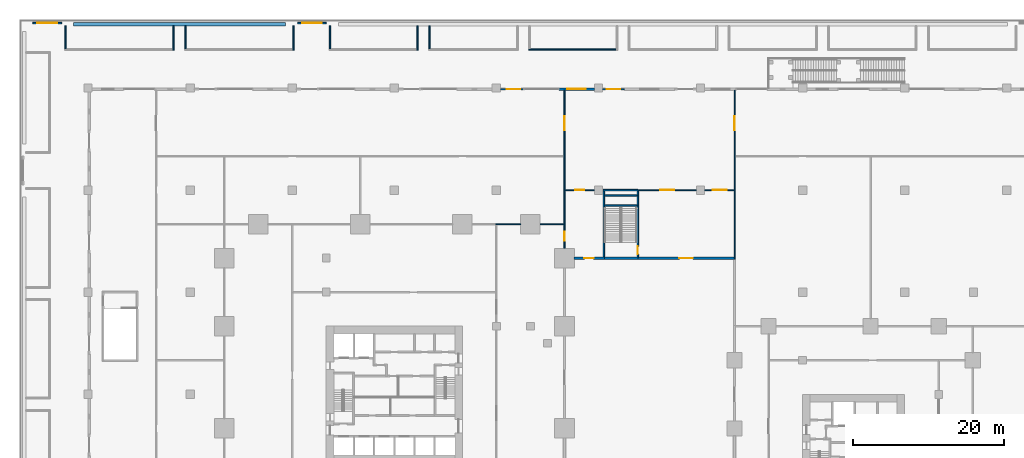
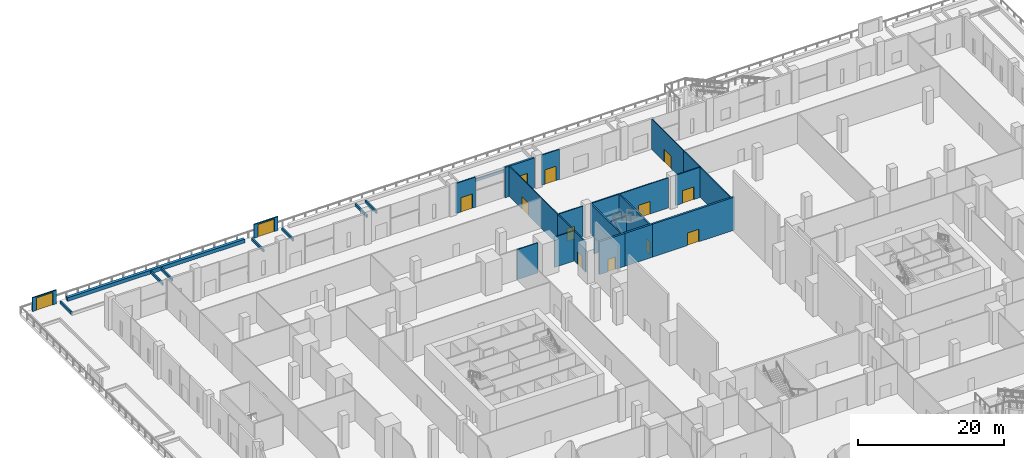
# One storey, part 34 of 47: 34 walls, 13 doors, 1 window, 14 openings.
"""IFC4 building model written with IfcOpenShell, lengths in metres."""

from ifc_helpers import new_model, si_unit, direction, frame, frame_2d, origin, place, context, subcontext, project, spatial, rectangle, extrude, material, layer, layer_set, type_object, element, fill, save


model = new_model("IFC4")

# Units and contexts
model_context = context("Model", 3, precision=1e-05, world=origin(), true_north=direction((0.0, 1.0)))
body_context = subcontext(model_context, "Body", "Model", "MODEL_VIEW")
ifc_project = project(units=[si_unit("LENGTHUNIT", "METRE"), si_unit("AREAUNIT", "SQUARE_METRE"), si_unit("VOLUMEUNIT", "CUBIC_METRE"), si_unit("PLANEANGLEUNIT", "RADIAN"), si_unit("MASSUNIT", "GRAM", prefix="KILO")], contexts=[model_context])

# Site, building, storey
site_placement = place(None, origin())
site = spatial("IfcSite", under=ifc_project, at=site_placement, CompositionType="ELEMENT")
building_placement = place(site_placement, origin())
building = spatial("IfcBuilding", under=site, at=building_placement, Name="Altepetl Exchange Towers", CompositionType="ELEMENT")
storey_placement = place(building_placement, frame((0.0, 0.0, 6.0)))
storey = spatial("IfcBuildingStorey", under=building, at=storey_placement, Name="L01 Retail podium", CompositionType="ELEMENT", Elevation=6.0)

# Wall, opening, door
ifc_material_1 = material(Name="Reinforced concrete C35/45", Category="concrete")
ifc_layer_1 = layer(ifc_material_1, 0.300048828125)
ifc_layer_set_1 = layer_set([ifc_layer_1], Name="Reinforced concrete C35/45")
wall_type_1 = type_object("IfcWallType", Name="Exchange hall wall 300", PredefinedType="SOLIDWALL", material=ifc_layer_set_1)
wall_1_placement = place(storey_placement, frame((81.60009765625, 67.5, 0.0)))
wall_1 = element("IfcWall", 1, at=wall_1_placement, inside=storey, type_object=wall_type_1, Name="wall:P:L01:P013", PredefinedType="SOLIDWALL", context=body_context, shape_type="SweptSolid", body=[
    extrude(rectangle(XDim=13.0498046875, YDim=0.300048828125, at=frame_2d((6.52490234375, 0.0))), origin(), (0.0, 0.0, 1.0), 5.5),
])
opening_1_placement = place(wall_1_placement, frame((5.60009765625, 0.0, 0.0)))
opening_1 = element("IfcOpeningElement", 2, at=opening_1_placement, cuts=wall_1, Name="Opening L01.P034", PredefinedType="OPENING", context=body_context, shape_type="SweptSolid", body=[
    extrude(rectangle(XDim=1.800048828125, YDim=2.10009765625, at=frame_2d((0.89990234375, 1.050048828125))), frame((0.0, 0.16015625, 0.0), z_axis=(0.0, -1.0, 0.0), x_axis=(1.0, 0.0, 0.0)), (0.0, 0.0, 1.0), 0.320068359375),
])
ifc_material_2 = material(Name="Glazed aluminium and steel", Category="steel")
door_type_1 = type_object("IfcDoorType", Name="Podium fire door 1800 x 2100 double leaf", OperationType="DOUBLE_DOOR_SINGLE_SWING", PredefinedType="DOOR", material=ifc_material_2)
door_1_placement = place(opening_1_placement, origin())
door_1 = element("IfcDoor", 3, at=door_1_placement, inside=storey, type_object=door_type_1, Name="door:P:L01:034", OperationType="DOUBLE_DOOR_SINGLE_SWING", OverallHeight=2.10009765625, OverallWidth=1.800048828125, PredefinedType="DOOR", context=body_context, shape_type="SweptSolid", body=[
    extrude(rectangle(XDim=1.800048828125, YDim=2.10009765625, at=frame_2d((0.89990234375, 1.050048828125))), frame((0.0, 0.02490234375, 0.0), z_axis=(0.0, -1.0, 0.0), x_axis=(1.0, 0.0, 0.0)), (0.0, 0.0, 1.0), 0.050048828125),
])
fill(opening_1, door_1)

wall_2_placement = place(storey_placement, frame((73.294921875, 67.5, 0.0)))
wall_2 = element("IfcWall", 4, at=wall_2_placement, inside=storey, type_object=wall_type_1, Name="wall:P:L01:P023", PredefinedType="SOLIDWALL", context=body_context, shape_type="SweptSolid", body=[
    extrude(rectangle(XDim=4.005126953125, YDim=0.300048828125, at=frame_2d((2.00244140625, 0.0))), origin(), (0.0, 0.0, 1.0), 5.5),
])
opening_2_placement = place(wall_2_placement, frame((1.35009765625, 0.0, 0.0)))
opening_2 = element("IfcOpeningElement", 5, at=opening_2_placement, cuts=wall_2, Name="Opening L01.P040", PredefinedType="OPENING", context=body_context, shape_type="SweptSolid", body=[
    extrude(rectangle(XDim=1.199951171875, YDim=2.10009765625, at=frame_2d((0.60009765625, 1.050048828125))), frame((0.0, 0.16015625, 0.0), z_axis=(0.0, -1.0, 0.0), x_axis=(1.0, 0.0, 0.0)), (0.0, 0.0, 1.0), 0.320068359375),
])
ifc_material_3 = material(Name="Steel fire door", Category="steel")
door_type_2 = type_object("IfcDoorType", Name="Podium fire door 1200 x 2100 double leaf", OperationType="DOUBLE_DOOR_SINGLE_SWING", PredefinedType="DOOR", material=ifc_material_3)
door_2_placement = place(opening_2_placement, origin())
door_2 = element("IfcDoor", 6, at=door_2_placement, inside=storey, type_object=door_type_2, Name="door:P:L01:040", OperationType="DOUBLE_DOOR_SINGLE_SWING", OverallHeight=2.10009765625, OverallWidth=1.199951171875, PredefinedType="DOOR", context=body_context, shape_type="SweptSolid", body=[
    extrude(rectangle(XDim=1.199951171875, YDim=2.10009765625, at=frame_2d((0.60009765625, 1.050048828125))), frame((0.0, 0.02490234375, 0.0), z_axis=(0.0, -1.0, 0.0), x_axis=(1.0, 0.0, 0.0)), (0.0, 0.0, 1.0), 0.050048828125),
])
fill(opening_2, door_2)

# Wall
wall_3_placement = place(storey_placement, frame((77.199951171875, 67.5, 0.0)))
element("IfcWall", 7, at=wall_3_placement, inside=storey, type_object=wall_type_1, Name="wall:P:L01:P024", PredefinedType="SOLIDWALL", context=body_context, shape_type="SweptSolid", body=[
    extrude(rectangle(XDim=4.5, YDim=0.300048828125, at=frame_2d((2.25, 0.0))), origin(), (0.0, 0.0, 1.0), 5.5),
])

# Wall, opening, door
ifc_layer_2 = layer(ifc_material_1, 0.199951171875)
ifc_layer_set_2 = layer_set([ifc_layer_2], Name="Reinforced concrete C35/45")
wall_type_2 = type_object("IfcWallType", Name="Garden gate screen wall 200", PredefinedType="SOLIDWALL", material=ifc_layer_set_2)
wall_4_placement = place(storey_placement, frame((1.699951171875, 98.60009765625, 0.0)))
wall_4 = element("IfcWall", 8, at=wall_4_placement, inside=storey, type_object=wall_type_2, Name="wall:P:L01:gateG3", PredefinedType="SOLIDWALL", context=body_context, shape_type="SweptSolid", body=[
    extrude(rectangle(XDim=3.800048828125, YDim=0.199951171875, at=frame_2d((1.89990234375, 0.0))), origin(), (0.0, 0.0, 1.0), 2.300048828125),
])
opening_3_placement = place(wall_4_placement, frame((0.60009765625, 0.0, 0.0)))
opening_3 = element("IfcOpeningElement", 9, at=opening_3_placement, cuts=wall_4, Name="Opening L01.P058", PredefinedType="OPENING", context=body_context, shape_type="SweptSolid", body=[
    extrude(rectangle(XDim=2.60009765625, YDim=2.10009765625, at=frame_2d((1.300048828125, 1.050048828125))), frame((0.0, 0.10986328125, 0.0), z_axis=(0.0, -1.0, 0.0), x_axis=(1.0, 0.0, 0.0)), (0.0, 0.0, 1.0), 0.219970703125),
])
ifc_material_4 = material(Name="Painted steel bars and timber", Category="steel")
door_type_3 = type_object("IfcDoorType", Name="Garden gate 2600 x 2100 double leaf", OperationType="DOUBLE_DOOR_SINGLE_SWING", PredefinedType="GATE", material=ifc_material_4)
door_3_placement = place(opening_3_placement, origin())
door_3 = element("IfcDoor", 10, at=door_3_placement, inside=storey, type_object=door_type_3, Name="door:P:L01:058", OperationType="DOUBLE_DOOR_SINGLE_SWING", OverallHeight=2.10009765625, OverallWidth=2.60009765625, PredefinedType="GATE", context=body_context, shape_type="SweptSolid", body=[
    extrude(rectangle(XDim=2.60009765625, YDim=2.10009765625, at=frame_2d((1.300048828125, 1.050048828125))), frame((0.0, 0.02490234375, 0.0), z_axis=(0.0, -1.0, 0.0), x_axis=(1.0, 0.0, 0.0)), (0.0, 0.0, 1.0), 0.050048828125),
])
fill(opening_3, door_3)

wall_5_placement = place(storey_placement, frame((36.699951171875, 98.60009765625, 0.0)))
wall_5 = element("IfcWall", 11, at=wall_5_placement, inside=storey, type_object=wall_type_2, Name="wall:P:L01:gateG4", PredefinedType="SOLIDWALL", context=body_context, shape_type="SweptSolid", body=[
    extrude(rectangle(XDim=3.800048828125, YDim=0.199951171875, at=frame_2d((1.89990234375, 0.0))), origin(), (0.0, 0.0, 1.0), 2.300048828125),
])
opening_4_placement = place(wall_5_placement, frame((0.60009765625, 0.0, 0.0)))
opening_4 = element("IfcOpeningElement", 12, at=opening_4_placement, cuts=wall_5, Name="Opening L01.P059", PredefinedType="OPENING", context=body_context, shape_type="SweptSolid", body=[
    extrude(rectangle(XDim=2.60009765625, YDim=2.10009765625, at=frame_2d((1.300048828125, 1.050048828125))), frame((0.0, 0.10986328125, 0.0), z_axis=(0.0, -1.0, 0.0), x_axis=(1.0, 0.0, 0.0)), (0.0, 0.0, 1.0), 0.219970703125),
])
door_4_placement = place(opening_4_placement, origin())
door_4 = element("IfcDoor", 13, at=door_4_placement, inside=storey, type_object=door_type_3, Name="door:P:L01:059", OperationType="DOUBLE_DOOR_SINGLE_SWING", OverallHeight=2.10009765625, OverallWidth=2.60009765625, PredefinedType="GATE", context=body_context, shape_type="SweptSolid", body=[
    extrude(rectangle(XDim=2.60009765625, YDim=2.10009765625, at=frame_2d((1.300048828125, 1.050048828125))), frame((0.0, 0.02490234375, 0.0), z_axis=(0.0, -1.0, 0.0), x_axis=(1.0, 0.0, 0.0)), (0.0, 0.0, 1.0), 0.050048828125),
])
fill(opening_4, door_4)

ifc_material_5 = material(Name="Aluminium composite cladding", Category="aluminium")
ifc_layer_3 = layer(ifc_material_5, 0.14990234375)
ifc_layer_set_3 = layer_set([ifc_layer_3], Name="Aluminium composite cladding")
wall_type_3 = type_object("IfcWallType", Name="Infill wall 150 aluminium panel", PredefinedType="SOLIDWALL", material=ifc_layer_set_3)
wall_6_placement = place(storey_placement, frame((79.89990234375, 89.85009765625, 0.0), z_axis=(0.0, 0.0, 1.0), x_axis=(-1.0, 0.0, 0.0)))
wall_6 = element("IfcWall", 14, at=wall_6_placement, inside=storey, type_object=wall_type_3, Name="Door bay wall", PredefinedType="SOLIDWALL", context=body_context, shape_type="SweptSolid", body=[
    extrude(rectangle(XDim=2.849853515625, YDim=0.14990234375, at=frame_2d((1.4248046875, 0.0))), origin(), (0.0, 0.0, 1.0), 5.050048828125),
])
opening_5_placement = place(wall_6_placement, frame((0.5, 0.0, 0.0)))
opening_5 = element("IfcOpeningElement", 15, at=opening_5_placement, cuts=wall_6, Name="Opening L01.E03", PredefinedType="OPENING", context=body_context, shape_type="SweptSolid", body=[
    extrude(rectangle(XDim=1.800048828125, YDim=2.39990234375, at=frame_2d((0.89990234375, 1.199951171875))), frame((0.0, 0.0849609375, 0.0), z_axis=(0.0, -1.0, 0.0), x_axis=(1.0, 0.0, 0.0)), (0.0, 0.0, 1.0), 0.169921875),
])
ifc_material_6 = material(Name="Aluminium 6063-T6 and glass", Category="aluminium")
door_type_4 = type_object("IfcDoorType", Name="Glazed door pair 1800x2400", OperationType="DOUBLE_DOOR_DOUBLE_SWING", PredefinedType="NOTDEFINED", material=ifc_material_6)
door_5_placement = place(opening_5_placement, frame((1.800048828125, 0.0, 0.0), x_axis=(-1.0, 0.0, 0.0)))
door_5 = element("IfcDoor", 16, at=door_5_placement, inside=storey, type_object=door_type_4, Name="Terrace door", OperationType="DOUBLE_DOOR_DOUBLE_SWING", OverallHeight=2.39990234375, OverallWidth=1.800048828125, PredefinedType="NOTDEFINED", context=body_context, shape_type="SweptSolid", body=[
    extrude(rectangle(XDim=1.800048828125, YDim=2.39990234375, at=frame_2d((0.89990234375, 1.199951171875))), frame((0.0, 0.02490234375, 0.0), z_axis=(0.0, -1.0, 0.0), x_axis=(1.0, 0.0, 0.0)), (0.0, 0.0, 1.0), 0.050048828125),
])
fill(opening_5, door_5)

wall_7_placement = place(storey_placement, frame((66.64990234375, 89.85009765625, 0.0), z_axis=(0.0, 0.0, 1.0), x_axis=(-1.0, 0.0, 0.0)))
wall_7 = element("IfcWall", 17, at=wall_7_placement, inside=storey, type_object=wall_type_3, Name="Door bay wall", PredefinedType="SOLIDWALL", context=body_context, shape_type="SweptSolid", body=[
    extrude(rectangle(XDim=3.099853515625, YDim=0.14990234375, at=frame_2d((1.5498046875, 0.0))), origin(), (0.0, 0.0, 1.0), 5.050048828125),
])
opening_6_placement = place(wall_7_placement, frame((0.5, 0.0, 0.0)))
opening_6 = element("IfcOpeningElement", 18, at=opening_6_placement, cuts=wall_7, Name="Opening L01.E18", PredefinedType="OPENING", context=body_context, shape_type="SweptSolid", body=[
    extrude(rectangle(XDim=1.800048828125, YDim=2.39990234375, at=frame_2d((0.89990234375, 1.199951171875))), frame((0.0, 0.0849609375, 0.0), z_axis=(0.0, -1.0, 0.0), x_axis=(1.0, 0.0, 0.0)), (0.0, 0.0, 1.0), 0.169921875),
])
door_6_placement = place(opening_6_placement, frame((1.800048828125, 0.0, 0.0), x_axis=(-1.0, 0.0, 0.0)))
door_6 = element("IfcDoor", 19, at=door_6_placement, inside=storey, type_object=door_type_4, Name="Terrace door", OperationType="DOUBLE_DOOR_DOUBLE_SWING", OverallHeight=2.39990234375, OverallWidth=1.800048828125, PredefinedType="NOTDEFINED", context=body_context, shape_type="SweptSolid", body=[
    extrude(rectangle(XDim=1.800048828125, YDim=2.39990234375, at=frame_2d((0.89990234375, 1.199951171875))), frame((0.0, 0.02490234375, 0.0), z_axis=(0.0, -1.0, 0.0), x_axis=(1.0, 0.0, 0.0)), (0.0, 0.0, 1.0), 0.050048828125),
])
fill(opening_6, door_6)

# Walls
ifc_layer_4 = layer(ifc_material_1, 0.199951171875)
ifc_layer_set_4 = layer_set([ifc_layer_4], Name="Reinforced concrete C35/45")
wall_type_4 = type_object("IfcWallType", Name="Landing support wall 200", PredefinedType="SOLIDWALL", material=ifc_layer_set_4)
for number, where, name in (
    (20, (77.300048828125, 74.4599609375, -3.0), "wall:P:L01:PX2sup0"),
    (21, (77.300048828125, 75.800048828125, -3.0), "wall:P:L01:PX2sup1"),
):
    element("IfcWall", number, at=place(storey_placement, frame(where)), inside=storey, type_object=wall_type_4, Name=name, PredefinedType="SOLIDWALL", context=body_context, shape_type="SweptSolid", body=[
        extrude(rectangle(XDim=4.300048828125, YDim=0.199951171875, at=frame_2d((2.14990234375, 0.0))), origin(), (0.0, 0.0, 1.0), 5.550048828125),
    ])
ifc_material_7 = material(Name="Concrete C30/37", Category="concrete")
ifc_layer_5 = layer(ifc_material_7, 0.449951171875)
ifc_layer_set_5 = layer_set([ifc_layer_5], Name="Concrete C30/37")
wall_type_5 = type_object("IfcWallType", Name="Planter wall 450 concrete", PredefinedType="SOLIDWALL", material=ifc_layer_set_5)
wall_8_placement = place(storey_placement, frame((35.107421875, 98.449951171875, 0.0), z_axis=(0.0, 0.0, 1.0), x_axis=(-1.0, 0.0, 0.0)))
element("IfcWall", 22, at=wall_8_placement, inside=storey, type_object=wall_type_5, Name="Planter bed wall", PredefinedType="SOLIDWALL", context=body_context, shape_type="SweptSolid", body=[
    extrude(rectangle(XDim=28.014892578125, YDim=0.449951171875, at=frame_2d((14.00732421875, 0.0))), origin(), (0.0, 0.0, 1.0), 0.60009765625),
])
ifc_layer_6 = layer(ifc_material_1, 0.199951171875)
ifc_layer_set_6 = layer_set([ifc_layer_6], Name="Reinforced concrete C35/45")
wall_type_6 = type_object("IfcWallType", Name="Planting bed curb 200", PredefinedType="SOLIDWALL", material=ifc_layer_set_6)
wall_9_placement = place(storey_placement, frame((52.585693359375, 95.02490234375, 0.0), z_axis=(0.0, 0.0, 1.0), x_axis=(0.0, 1.0, 0.0)))
element("IfcWall", 23, at=wall_9_placement, inside=storey, type_object=wall_type_6, Name="wall:P:L01:CB13e", PredefinedType="SOLIDWALL", context=body_context, shape_type="SweptSolid", body=[
    extrude(rectangle(XDim=3.2001953125, YDim=0.199951171875, at=frame_2d((1.60009765625, 0.0))), origin(), (0.0, 0.0, 1.0), 0.449951171875),
])
for number, where, z_axis, x_axis, name in (
    (24, (41.0, 95.22509765625, 0.0), (0.0, 0.0, 1.0), (0.0, 1.0, 0.0), "wall:P:L01:CB13w"),
    (25, (54.185791015625, 95.22509765625, 0.0), (0.0, 0.0, 1.0), (0.0, 1.0, 0.0), "wall:P:L01:CB14w"),
):
    element("IfcWall", number, at=place(storey_placement, frame(where, z_axis=z_axis, x_axis=x_axis)), inside=storey, type_object=wall_type_6, Name=name, PredefinedType="SOLIDWALL", context=body_context, shape_type="SweptSolid", body=[
        extrude(rectangle(XDim=3.0, YDim=0.199951171875, at=frame_2d((1.5, 0.0))), origin(), (0.0, 0.0, 1.0), 0.449951171875),
    ])
wall_10_placement = place(storey_placement, frame((67.271484375, 95.125, 0.0)))
element("IfcWall", 26, at=wall_10_placement, inside=storey, type_object=wall_type_6, Name="wall:P:L01:CB15s", PredefinedType="SOLIDWALL", context=body_context, shape_type="SweptSolid", body=[
    extrude(rectangle(XDim=11.585693359375, YDim=0.199951171875, at=frame_2d((5.79296875, 0.0))), origin(), (0.0, 0.0, 1.0), 0.449951171875),
])
wall_11_placement = place(storey_placement, frame((20.300048828125, 95.02490234375, 0.0), z_axis=(0.0, 0.0, 1.0), x_axis=(0.0, 1.0, 0.0)))
element("IfcWall", 27, at=wall_11_placement, inside=storey, type_object=wall_type_6, Name="wall:P:L01:CB20e", PredefinedType="SOLIDWALL", context=body_context, shape_type="SweptSolid", body=[
    extrude(rectangle(XDim=3.2001953125, YDim=0.199951171875, at=frame_2d((1.60009765625, 0.0))), origin(), (0.0, 0.0, 1.0), 0.449951171875),
])
wall_12_placement = place(storey_placement, frame((6.0, 95.22509765625, 0.0), z_axis=(0.0, 0.0, 1.0), x_axis=(0.0, 1.0, 0.0)))
element("IfcWall", 28, at=wall_12_placement, inside=storey, type_object=wall_type_6, Name="wall:P:L01:CB20w", PredefinedType="SOLIDWALL", context=body_context, shape_type="SweptSolid", body=[
    extrude(rectangle(XDim=3.0, YDim=0.199951171875, at=frame_2d((1.5, 0.0))), origin(), (0.0, 0.0, 1.0), 0.449951171875),
])
wall_13_placement = place(storey_placement, frame((36.199951171875, 95.02490234375, 0.0), z_axis=(0.0, 0.0, 1.0), x_axis=(0.0, 1.0, 0.0)))
element("IfcWall", 29, at=wall_13_placement, inside=storey, type_object=wall_type_6, Name="wall:P:L01:CB21e", PredefinedType="SOLIDWALL", context=body_context, shape_type="SweptSolid", body=[
    extrude(rectangle(XDim=3.2001953125, YDim=0.199951171875, at=frame_2d((1.60009765625, 0.0))), origin(), (0.0, 0.0, 1.0), 0.449951171875),
])
wall_14_placement = place(storey_placement, frame((21.89990234375, 95.22509765625, 0.0), z_axis=(0.0, 0.0, 1.0), x_axis=(0.0, 1.0, 0.0)))
element("IfcWall", 30, at=wall_14_placement, inside=storey, type_object=wall_type_6, Name="wall:P:L01:CB21w", PredefinedType="SOLIDWALL", context=body_context, shape_type="SweptSolid", body=[
    extrude(rectangle(XDim=3.0, YDim=0.199951171875, at=frame_2d((1.5, 0.0))), origin(), (0.0, 0.0, 1.0), 0.449951171875),
])

# Wall, opening, door
ifc_material_8 = material(Name="Gypsum board on steel studs", Category="steel")
ifc_layer_7 = layer(ifc_material_8, 0.14990234375)
ifc_layer_set_7 = layer_set([ifc_layer_7], Name="Gypsum board on steel studs")
wall_type_7 = type_object("IfcWallType", Name="Podium partition 150", PredefinedType="PARTITIONING", material=ifc_layer_set_7)
wall_15_placement = place(storey_placement, frame((81.800048828125, 76.5, 0.0)))
wall_15 = element("IfcWall", 31, at=wall_15_placement, inside=storey, type_object=wall_type_7, Name="wall:P:L01:P025", PredefinedType="PARTITIONING", context=body_context, shape_type="SweptSolid", body=[
    extrude(rectangle(XDim=7.655029296875, YDim=0.14990234375, at=frame_2d((3.82763671875, 0.0))), origin(), (0.0, 0.0, 1.0), 5.050048828125),
])
opening_7_placement = place(wall_15_placement, frame((2.89990234375, 0.0, 0.0)))
opening_7 = element("IfcOpeningElement", 32, at=opening_7_placement, cuts=wall_15, Name="Opening L01.P041", PredefinedType="OPENING", context=body_context, shape_type="SweptSolid", body=[
    extrude(rectangle(XDim=1.800048828125, YDim=2.10009765625, at=frame_2d((0.89990234375, 1.050048828125))), frame((0.0, 0.0849609375, 0.0), z_axis=(0.0, -1.0, 0.0), x_axis=(1.0, 0.0, 0.0)), (0.0, 0.0, 1.0), 0.169921875),
])
door_7_placement = place(opening_7_placement, frame((1.800048828125, 0.0, 0.0), x_axis=(-1.0, 0.0, 0.0)))
door_7 = element("IfcDoor", 33, at=door_7_placement, inside=storey, type_object=door_type_1, Name="door:P:L01:041", OperationType="DOUBLE_DOOR_SINGLE_SWING", OverallHeight=2.10009765625, OverallWidth=1.800048828125, PredefinedType="DOOR", context=body_context, shape_type="SweptSolid", body=[
    extrude(rectangle(XDim=1.800048828125, YDim=2.10009765625, at=frame_2d((0.89990234375, 1.050048828125))), frame((0.0, 0.02490234375, 0.0), z_axis=(0.0, -1.0, 0.0), x_axis=(1.0, 0.0, 0.0)), (0.0, 0.0, 1.0), 0.050048828125),
])
fill(opening_7, door_7)

wall_16_placement = place(storey_placement, frame((90.544921875, 76.5, 0.0)))
wall_16 = element("IfcWall", 34, at=wall_16_placement, inside=storey, type_object=wall_type_7, Name="wall:P:L01:P026", PredefinedType="PARTITIONING", context=body_context, shape_type="SweptSolid", body=[
    extrude(rectangle(XDim=4.030029296875, YDim=0.14990234375, at=frame_2d((2.01513671875, 0.0))), origin(), (0.0, 0.0, 1.0), 5.050048828125),
])
opening_8_placement = place(wall_16_placement, frame((1.10009765625, 0.0, 0.0)))
opening_8 = element("IfcOpeningElement", 35, at=opening_8_placement, cuts=wall_16, Name="Opening L01.P042", PredefinedType="OPENING", context=body_context, shape_type="SweptSolid", body=[
    extrude(rectangle(XDim=1.800048828125, YDim=2.10009765625, at=frame_2d((0.89990234375, 1.050048828125))), frame((0.0, 0.0849609375, 0.0), z_axis=(0.0, -1.0, 0.0), x_axis=(1.0, 0.0, 0.0)), (0.0, 0.0, 1.0), 0.169921875),
])
door_8_placement = place(opening_8_placement, frame((1.800048828125, 0.0, 0.0), x_axis=(-1.0, 0.0, 0.0)))
door_8 = element("IfcDoor", 36, at=door_8_placement, inside=storey, type_object=door_type_1, Name="door:P:L01:042", OperationType="DOUBLE_DOOR_SINGLE_SWING", OverallHeight=2.10009765625, OverallWidth=1.800048828125, PredefinedType="DOOR", context=body_context, shape_type="SweptSolid", body=[
    extrude(rectangle(XDim=1.800048828125, YDim=2.10009765625, at=frame_2d((0.89990234375, 1.050048828125))), frame((0.0, 0.02490234375, 0.0), z_axis=(0.0, -1.0, 0.0), x_axis=(1.0, 0.0, 0.0)), (0.0, 0.0, 1.0), 0.050048828125),
])
fill(opening_8, door_8)

# Wall
wall_17_placement = place(storey_placement, frame((94.5, 67.5, 0.0), z_axis=(0.0, 0.0, 1.0), x_axis=(0.0, 1.0, 0.0)))
element("IfcWall", 37, at=wall_17_placement, inside=storey, type_object=wall_type_7, Name="wall:P:L01:P027", PredefinedType="PARTITIONING", context=body_context, shape_type="SweptSolid", body=[
    extrude(rectangle(XDim=8.925048828125, YDim=0.14990234375, at=frame_2d((4.46240234375, 0.0))), origin(), (0.0, 0.0, 1.0), 5.050048828125),
])

# Wall, opening, door
wall_18_placement = place(storey_placement, frame((72.0, 80.925048828125, 0.0), z_axis=(0.0, 0.0, 1.0), x_axis=(0.0, 1.0, 0.0)))
wall_18 = element("IfcWall", 38, at=wall_18_placement, inside=storey, type_object=wall_type_7, Name="wall:P:L01:P029", PredefinedType="PARTITIONING", context=body_context, shape_type="SweptSolid", body=[
    extrude(rectangle(XDim=8.77490234375, YDim=0.14990234375, at=frame_2d((4.387451171875, 0.0))), origin(), (0.0, 0.0, 1.0), 5.050048828125),
])
opening_9_placement = place(wall_18_placement, frame((3.52490234375, 0.0, 0.0)))
opening_9 = element("IfcOpeningElement", 39, at=opening_9_placement, cuts=wall_18, Name="Opening L01.P043", PredefinedType="OPENING", context=body_context, shape_type="SweptSolid", body=[
    extrude(rectangle(XDim=1.800048828125, YDim=2.10009765625, at=frame_2d((0.89990234375, 1.050048828125))), frame((0.0, 0.0849609375, 0.0), z_axis=(0.0, -1.0, 0.0), x_axis=(1.0, 0.0, 0.0)), (0.0, 0.0, 1.0), 0.169921875),
])
door_9_placement = place(opening_9_placement, frame((1.800048828125, 0.0, 0.0), x_axis=(-1.0, 0.0, 0.0)))
door_9 = element("IfcDoor", 40, at=door_9_placement, inside=storey, type_object=door_type_1, Name="door:P:L01:043", OperationType="DOUBLE_DOOR_SINGLE_SWING", OverallHeight=2.10009765625, OverallWidth=1.800048828125, PredefinedType="DOOR", context=body_context, shape_type="SweptSolid", body=[
    extrude(rectangle(XDim=1.800048828125, YDim=2.10009765625, at=frame_2d((0.89990234375, 1.050048828125))), frame((0.0, 0.02490234375, 0.0), z_axis=(0.0, -1.0, 0.0), x_axis=(1.0, 0.0, 0.0)), (0.0, 0.0, 1.0), 0.050048828125),
])
fill(opening_9, door_9)

wall_19_placement = place(storey_placement, frame((94.5, 80.925048828125, 0.0), z_axis=(0.0, 0.0, 1.0), x_axis=(0.0, 1.0, 0.0)))
wall_19 = element("IfcWall", 41, at=wall_19_placement, inside=storey, type_object=wall_type_7, Name="wall:P:L01:P030", PredefinedType="PARTITIONING", context=body_context, shape_type="SweptSolid", body=[
    extrude(rectangle(XDim=8.77490234375, YDim=0.14990234375, at=frame_2d((4.387451171875, 0.0))), origin(), (0.0, 0.0, 1.0), 5.050048828125),
])
opening_10_placement = place(wall_19_placement, frame((3.52490234375, 0.0, 0.0)))
opening_10 = element("IfcOpeningElement", 42, at=opening_10_placement, cuts=wall_19, Name="Opening L01.P044", PredefinedType="OPENING", context=body_context, shape_type="SweptSolid", body=[
    extrude(rectangle(XDim=1.800048828125, YDim=2.10009765625, at=frame_2d((0.89990234375, 1.050048828125))), frame((0.0, 0.0849609375, 0.0), z_axis=(0.0, -1.0, 0.0), x_axis=(1.0, 0.0, 0.0)), (0.0, 0.0, 1.0), 0.169921875),
])
door_10_placement = place(opening_10_placement, origin())
door_10 = element("IfcDoor", 43, at=door_10_placement, inside=storey, type_object=door_type_1, Name="door:P:L01:044", OperationType="DOUBLE_DOOR_SINGLE_SWING", OverallHeight=2.10009765625, OverallWidth=1.800048828125, PredefinedType="DOOR", context=body_context, shape_type="SweptSolid", body=[
    extrude(rectangle(XDim=1.800048828125, YDim=2.10009765625, at=frame_2d((0.89990234375, 1.050048828125))), frame((0.0, 0.02490234375, 0.0), z_axis=(0.0, -1.0, 0.0), x_axis=(1.0, 0.0, 0.0)), (0.0, 0.0, 1.0), 0.050048828125),
])
fill(opening_10, door_10)

# Walls
wall_20_placement = place(storey_placement, frame((72.0, 76.425048828125, 0.0), z_axis=(0.0, 0.0, 1.0), x_axis=(0.0, 1.0, 0.0)))
element("IfcWall", 44, at=wall_20_placement, inside=storey, type_object=wall_type_7, Name="wall:P:L01:P031", PredefinedType="PARTITIONING", context=body_context, shape_type="SweptSolid", body=[
    extrude(rectangle(XDim=4.574951171875, YDim=0.14990234375, at=frame_2d((2.28759765625, 0.0))), origin(), (0.0, 0.0, 1.0), 5.050048828125),
])
wall_21_placement = place(storey_placement, frame((94.5, 76.5, 0.0), z_axis=(0.0, 0.0, 1.0), x_axis=(0.0, 1.0, 0.0)))
element("IfcWall", 45, at=wall_21_placement, inside=storey, type_object=wall_type_7, Name="wall:P:L01:P032", PredefinedType="PARTITIONING", context=body_context, shape_type="SweptSolid", body=[
    extrude(rectangle(XDim=4.5, YDim=0.14990234375, at=frame_2d((2.25, 0.0))), origin(), (0.0, 0.0, 1.0), 5.050048828125),
])

# Wall, opening, door
wall_22_placement = place(storey_placement, frame((72.074951171875, 76.5, 0.0)))
wall_22 = element("IfcWall", 46, at=wall_22_placement, inside=storey, type_object=wall_type_7, Name="wall:P:L01:P033", PredefinedType="PARTITIONING", context=body_context, shape_type="SweptSolid", body=[
    extrude(rectangle(XDim=3.880126953125, YDim=0.14990234375, at=frame_2d((1.93994140625, 0.0))), origin(), (0.0, 0.0, 1.0), 5.050048828125),
])
opening_11_placement = place(wall_22_placement, frame((1.324951171875, 0.0, 0.0)))
opening_11 = element("IfcOpeningElement", 47, at=opening_11_placement, cuts=wall_22, Name="Opening L01.P045", PredefinedType="OPENING", context=body_context, shape_type="SweptSolid", body=[
    extrude(rectangle(XDim=1.199951171875, YDim=2.10009765625, at=frame_2d((0.60009765625, 1.050048828125))), frame((0.0, 0.0849609375, 0.0), z_axis=(0.0, -1.0, 0.0), x_axis=(1.0, 0.0, 0.0)), (0.0, 0.0, 1.0), 0.169921875),
])
door_11_placement = place(opening_11_placement, frame((1.199951171875, 0.0, 0.0), x_axis=(-1.0, 0.0, 0.0)))
door_11 = element("IfcDoor", 48, at=door_11_placement, inside=storey, type_object=door_type_2, Name="door:P:L01:045", OperationType="DOUBLE_DOOR_SINGLE_SWING", OverallHeight=2.10009765625, OverallWidth=1.199951171875, PredefinedType="DOOR", context=body_context, shape_type="SweptSolid", body=[
    extrude(rectangle(XDim=1.199951171875, YDim=2.10009765625, at=frame_2d((0.60009765625, 1.050048828125))), frame((0.0, 0.02490234375, 0.0), z_axis=(0.0, -1.0, 0.0), x_axis=(1.0, 0.0, 0.0)), (0.0, 0.0, 1.0), 0.050048828125),
])
fill(opening_11, door_11)

# Walls
for number, where, name in (
    (49, (62.925048828125, 72.0, 0.0), "wall:P:L01:P104"),
    (50, (68.794921875, 72.0, 0.0), "wall:P:L01:P105"),
):
    element("IfcWall", number, at=place(storey_placement, frame(where)), inside=storey, type_object=wall_type_7, Name=name, PredefinedType="PARTITIONING", context=body_context, shape_type="SweptSolid", body=[
        extrude(rectangle(XDim=3.280029296875, YDim=0.14990234375, at=frame_2d((1.64013671875, 0.0))), origin(), (0.0, 0.0, 1.0), 5.050048828125),
    ])
wall_23_placement = place(storey_placement, frame((72.0, 72.0, 0.0), z_axis=(0.0, 0.0, 1.0), x_axis=(0.0, 1.0, 0.0)))
element("IfcWall", 51, at=wall_23_placement, inside=storey, type_object=wall_type_7, Name="wall:P:L01:P108", PredefinedType="PARTITIONING", context=body_context, shape_type="SweptSolid", body=[
    extrude(rectangle(XDim=4.5, YDim=0.14990234375, at=frame_2d((2.25, 0.0))), origin(), (0.0, 0.0, 1.0), 5.050048828125),
])

# Wall, opening, door
wall_24_placement = place(storey_placement, frame((72.0, 68.794921875, 0.0), z_axis=(0.0, 0.0, 1.0), x_axis=(0.0, 1.0, 0.0)))
wall_24 = element("IfcWall", 52, at=wall_24_placement, inside=storey, type_object=wall_type_7, Name="wall:P:L01:P114", PredefinedType="PARTITIONING", context=body_context, shape_type="SweptSolid", body=[
    extrude(rectangle(XDim=3.130126953125, YDim=0.14990234375, at=frame_2d((1.56494140625, 0.0))), origin(), (0.0, 0.0, 1.0), 5.050048828125),
])
opening_12_placement = place(wall_24_placement, frame((1.0, 0.0, 0.0)))
opening_12 = element("IfcOpeningElement", 53, at=opening_12_placement, cuts=wall_24, Name="Opening L01.P053", PredefinedType="OPENING", context=body_context, shape_type="SweptSolid", body=[
    extrude(rectangle(XDim=1.199951171875, YDim=2.10009765625, at=frame_2d((0.60009765625, 1.050048828125))), frame((0.0, 0.0849609375, 0.0), z_axis=(0.0, -1.0, 0.0), x_axis=(1.0, 0.0, 0.0)), (0.0, 0.0, 1.0), 0.169921875),
])
door_12_placement = place(opening_12_placement, frame((1.199951171875, 0.0, 0.0), x_axis=(-1.0, 0.0, 0.0)))
door_12 = element("IfcDoor", 54, at=door_12_placement, inside=storey, type_object=door_type_2, Name="door:P:L01:053", OperationType="DOUBLE_DOOR_SINGLE_SWING", OverallHeight=2.10009765625, OverallWidth=1.199951171875, PredefinedType="DOOR", context=body_context, shape_type="SweptSolid", body=[
    extrude(rectangle(XDim=1.199951171875, YDim=2.10009765625, at=frame_2d((0.60009765625, 1.050048828125))), frame((0.0, 0.02490234375, 0.0), z_axis=(0.0, -1.0, 0.0), x_axis=(1.0, 0.0, 0.0)), (0.0, 0.0, 1.0), 0.050048828125),
])
fill(opening_12, door_12)

ifc_layer_8 = layer(ifc_material_1, 0.199951171875)
ifc_layer_set_8 = layer_set([ifc_layer_8], Name="Reinforced concrete C35/45")
wall_type_8 = type_object("IfcWallType", Name="Stair enclosure wall 200", PredefinedType="SOLIDWALL", material=ifc_layer_set_8)
wall_25_placement = place(storey_placement, frame((81.699951171875, 67.64990234375, 0.0), z_axis=(0.0, 0.0, 1.0), x_axis=(0.0, 1.0, 0.0)))
wall_25 = element("IfcWall", 55, at=wall_25_placement, inside=storey, type_object=wall_type_8, Name="wall:P:L01:P028", PredefinedType="SOLIDWALL", context=body_context, shape_type="SweptSolid", body=[
    extrude(rectangle(XDim=8.925048828125, YDim=0.199951171875, at=frame_2d((4.46240234375, 0.0))), origin(), (0.0, 0.0, 1.0), 5.050048828125),
])
opening_13_placement = place(wall_25_placement, frame((0.35009765625, 0.0, 0.0)))
opening_13 = element("IfcOpeningElement", 56, at=opening_13_placement, cuts=wall_25, Name="Opening L01.P024", PredefinedType="OPENING", context=body_context, shape_type="SweptSolid", body=[
    extrude(rectangle(XDim=1.10009765625, YDim=2.10009765625, at=frame_2d((0.550048828125, 1.050048828125))), frame((0.0, 0.10986328125, 0.0), z_axis=(0.0, -1.0, 0.0), x_axis=(1.0, 0.0, 0.0)), (0.0, 0.0, 1.0), 0.219970703125),
])
door_type_5 = type_object("IfcDoorType", Name="Podium fire door 1100 x 2100 single leaf", OperationType="SINGLE_SWING_LEFT", PredefinedType="DOOR", material=ifc_material_3)
door_13_placement = place(opening_13_placement, origin())
door_13 = element("IfcDoor", 57, at=door_13_placement, inside=storey, type_object=door_type_5, Name="door:P:L01:024", OperationType="SINGLE_SWING_RIGHT", OverallHeight=2.10009765625, OverallWidth=1.10009765625, PredefinedType="DOOR", context=body_context, shape_type="SweptSolid", body=[
    extrude(rectangle(XDim=1.10009765625, YDim=2.10009765625, at=frame_2d((0.550048828125, 1.050048828125))), frame((0.0, 0.02490234375, 0.0), z_axis=(0.0, -1.0, 0.0), x_axis=(1.0, 0.0, 0.0)), (0.0, 0.0, 1.0), 0.050048828125),
])
fill(opening_13, door_13)

# Walls
wall_26_placement = place(storey_placement, frame((77.10009765625, 76.5, 0.0)))
element("IfcWall", 58, at=wall_26_placement, inside=storey, type_object=wall_type_8, Name="wall:P:L01:P034", PredefinedType="SOLIDWALL", context=body_context, shape_type="SweptSolid", body=[
    extrude(rectangle(XDim=4.599853515625, YDim=0.199951171875, at=frame_2d((2.2998046875, 0.0))), origin(), (0.0, 0.0, 1.0), 5.050048828125),
])
wall_27_placement = place(storey_placement, frame((77.199951171875, 67.64990234375, 0.0), z_axis=(0.0, 0.0, 1.0), x_axis=(0.0, 1.0, 0.0)))
element("IfcWall", 59, at=wall_27_placement, inside=storey, type_object=wall_type_8, Name="wall:P:L01:P154", PredefinedType="SOLIDWALL", context=body_context, shape_type="SweptSolid", body=[
    extrude(rectangle(XDim=8.75, YDim=0.199951171875, at=frame_2d((4.375, 0.0))), origin(), (0.0, 0.0, 1.0), 5.050048828125),
])

# Wall, opening, window
ifc_material_9 = material(Name="Cantera limestone cladding", Category="masonry")
ifc_layer_9 = layer(ifc_material_9, 0.300048828125)
ifc_layer_set_9 = layer_set([ifc_layer_9], Name="Cantera limestone cladding")
wall_type_9 = type_object("IfcWallType", Name="Stone wall panel 300", PredefinedType="ELEMENTEDWALL", material=ifc_layer_set_9)
wall_28_placement = place(storey_placement, frame((75.949951171875, 89.85009765625, 0.0), z_axis=(0.0, 0.0, 1.0), x_axis=(-1.0, 0.0, 0.0)))
wall_28 = element("IfcWall", 60, at=wall_28_placement, inside=storey, type_object=wall_type_9, Name="Stone wall panel", PredefinedType="ELEMENTEDWALL", context=body_context, shape_type="SweptSolid", body=[
    extrude(rectangle(XDim=4.675048828125, YDim=0.300048828125, at=frame_2d((2.33740234375, 0.0))), origin(), (0.0, 0.0, 1.0), 5.050048828125),
])
opening_14_placement = place(wall_28_placement, frame((1.16259765625, 0.0, 0.449951171875)))
opening_14 = element("IfcOpeningElement", 61, at=opening_14_placement, cuts=wall_28, Name="Opening W1", PredefinedType="OPENING", context=body_context, shape_type="SweptSolid", body=[
    extrude(rectangle(XDim=2.39990234375, YDim=2.39990234375, at=frame_2d((1.199951171875, 1.199951171875))), frame((0.0, 0.16015625, 0.0), z_axis=(0.0, -1.0, 0.0), x_axis=(1.0, 0.0, 0.0)), (0.0, 0.0, 1.0), 0.320068359375),
])
window_type = type_object("IfcWindowType", Name="Shopfront window 2400x2400", PartitioningType="SINGLE_PANEL", PredefinedType="WINDOW", material=ifc_material_6)
window_placement = place(opening_14_placement, origin())
window = element("IfcWindow", 62, at=window_placement, inside=storey, type_object=window_type, Name="Window", OverallHeight=2.39990234375, OverallWidth=2.39990234375, PartitioningType="SINGLE_PANEL", PredefinedType="WINDOW", context=body_context, shape_type="SweptSolid", body=[
    extrude(rectangle(XDim=2.39990234375, YDim=2.39990234375, at=frame_2d((1.199951171875, 1.199951171875))), frame((0.0, 0.030029296875, 0.0), z_axis=(0.0, -1.0, 0.0), x_axis=(1.0, 0.0, 0.0)), (0.0, 0.0, 1.0), 0.06005859375),
])
fill(opening_14, window)

save(model, "model.ifc")
